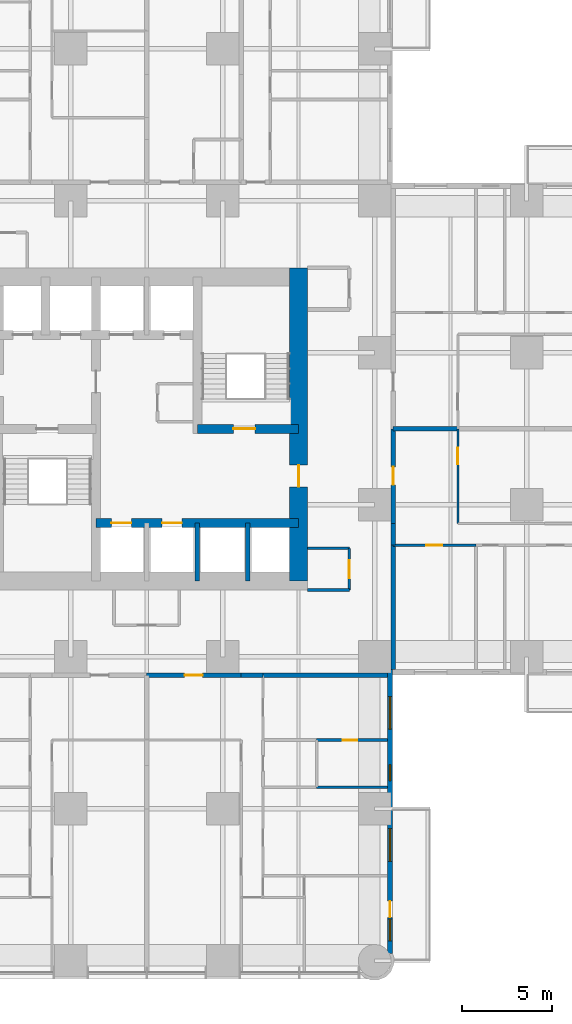
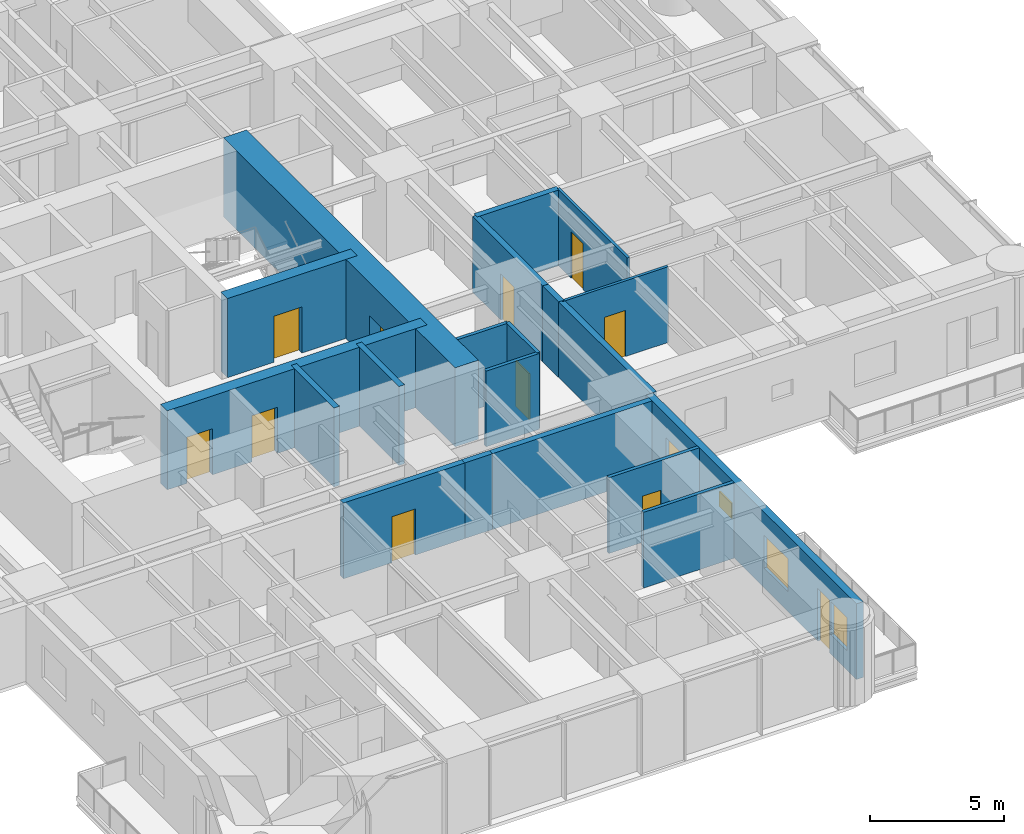
# One storey, part 10 of 17: 20 walls, 11 doors, 4 windows, 15 openings.
"""IFC4 building model written with IfcOpenShell, lengths in metres."""

from ifc_helpers import new_model, si_unit, direction, frame, frame_2d, origin, place, context, subcontext, project, spatial, rectangle, extrude, material, layer, layer_set, type_object, element, fill, save


model = new_model("IFC4")

# Units and contexts
model_context = context("Model", 3, precision=1e-05, world=origin(), true_north=direction((0.0, 1.0)))
body_context = subcontext(model_context, "Body", "Model", "MODEL_VIEW")
ifc_project = project(units=[si_unit("LENGTHUNIT", "METRE"), si_unit("AREAUNIT", "SQUARE_METRE"), si_unit("VOLUMEUNIT", "CUBIC_METRE"), si_unit("PLANEANGLEUNIT", "RADIAN"), si_unit("MASSUNIT", "GRAM", prefix="KILO")], contexts=[model_context])

# Site, building, storey
site_placement = place(None, origin())
site = spatial("IfcSite", under=ifc_project, at=site_placement, CompositionType="ELEMENT")
building_placement = place(site_placement, origin())
building = spatial("IfcBuilding", under=site, at=building_placement, Name="Torre Alcanfor", CompositionType="ELEMENT")
storey_placement = place(building_placement, frame((0.0, 0.0, 63.300048828125)))
storey = spatial("IfcBuildingStorey", under=building, at=storey_placement, Name="L15", CompositionType="ELEMENT", Elevation=63.300048828125)

# Wall, opening, door
ifc_material_1 = material(Name="Concrete block masonry, hollow blocks NMX-C-404 9 MPa", Category="masonry")
ifc_layer_1 = layer(ifc_material_1, 0.25)
ifc_layer_set_1 = layer_set([ifc_layer_1], Name="Apartment entrance wall 250 EI 60")
wall_type_1 = type_object("IfcWallType", Name="Apartment entrance wall 250 EI 60", PredefinedType="PARTITIONING", material=ifc_layer_set_1)
wall_1_placement = place(storey_placement, frame((43.02490234375, 29.39990234375, 0.0), z_axis=(0.0, 0.0, 1.0), x_axis=(0.0, -1.0, 0.0)))
wall_1 = element("IfcWall", 1, at=wall_1_placement, inside=storey, type_object=wall_type_1, Name="Partition L15-CORR / L15-E2-ZAG", PredefinedType="PARTITIONING", context=body_context, shape_type="SweptSolid", body=[
    extrude(rectangle(XDim=5.22900390625, YDim=0.25, at=frame_2d((2.614501953125, 0.0))), origin(), (0.0, 0.0, 1.0), 3.449951171875),
])
opening_1_placement = place(wall_1_placement, frame((2.10009765625, 0.0, 0.0)))
opening_1 = element("IfcOpeningElement", 2, at=opening_1_placement, cuts=wall_1, Name="Opening D-A1", PredefinedType="OPENING", context=body_context, shape_type="SweptSolid", body=[
    extrude(rectangle(XDim=1.0, YDim=2.10009765625, at=frame_2d((0.5, 1.050048828125))), frame((0.0, 0.135009765625, 0.0), z_axis=(0.0, -1.0, 0.0), x_axis=(1.0, 0.0, 0.0)), (0.0, 0.0, 1.0), 0.27001953125),
])
ifc_material_2 = material(Name="Galvanised steel sheet ASTM A653", Category="steel")
door_type_1 = type_object("IfcDoorType", Name="Apartment entrance door FD60 1000x2100", OperationType="SINGLE_SWING_LEFT", PredefinedType="DOOR", material=ifc_material_2)
door_1_placement = place(opening_1_placement, origin())
door_1 = element("IfcDoor", 3, at=door_1_placement, inside=storey, type_object=door_type_1, Name="Apartment entrance L15-E2", OperationType="SINGLE_SWING_LEFT", OverallHeight=2.10009765625, OverallWidth=1.0, PredefinedType="DOOR", context=body_context, shape_type="SweptSolid", body=[
    extrude(rectangle(XDim=1.0, YDim=2.10009765625, at=frame_2d((0.5, 1.050048828125))), frame((0.0, 0.02490234375, 0.0), z_axis=(0.0, -1.0, 0.0), x_axis=(1.0, 0.0, 0.0)), (0.0, 0.0, 1.0), 0.050048828125),
])
fill(opening_1, door_1)

# Walls
wall_2_placement = place(storey_placement, frame((43.02490234375, 24.1708984375, 0.0), z_axis=(0.0, 0.0, 1.0), x_axis=(0.0, -1.0, 0.0)))
element("IfcWall", 4, at=wall_2_placement, inside=storey, type_object=wall_type_1, Name="Partition L15-CORR / L15-E2-HALL", PredefinedType="PARTITIONING", context=body_context, shape_type="SweptSolid", body=[
    extrude(rectangle(XDim=1.199951171875, YDim=0.25, at=frame_2d((0.60009765625, 0.0))), origin(), (0.0, 0.0, 1.0), 3.449951171875),
])
wall_3_placement = place(storey_placement, frame((43.02490234375, 22.970947265625, 0.0), z_axis=(0.0, 0.0, 1.0), x_axis=(0.0, -1.0, 0.0)))
element("IfcWall", 5, at=wall_3_placement, inside=storey, type_object=wall_type_1, Name="Partition L15-CORR / L15-E2-BED3", PredefinedType="PARTITIONING", context=body_context, shape_type="SweptSolid", body=[
    extrude(rectangle(XDim=6.870849609375, YDim=0.25, at=frame_2d((3.435546875, 0.0))), origin(), (0.0, 0.0, 1.0), 3.449951171875),
])

# Wall, opening, door
wall_4_placement = place(storey_placement, frame((34.62890625, 15.77490234375, 0.0), z_axis=(0.0, 0.0, 1.0), x_axis=(-1.0, 0.0, 0.0)))
wall_4 = element("IfcWall", 6, at=wall_4_placement, inside=storey, type_object=wall_type_1, Name="Partition L15-CORR / L15-S1-ZAG", PredefinedType="PARTITIONING", context=body_context, shape_type="SweptSolid", body=[
    extrude(rectangle(XDim=5.22900390625, YDim=0.25, at=frame_2d((2.614501953125, 0.0))), origin(), (0.0, 0.0, 1.0), 3.449951171875),
])
opening_2_placement = place(wall_4_placement, frame((2.12890625, 0.0, 0.0)))
opening_2 = element("IfcOpeningElement", 7, at=opening_2_placement, cuts=wall_4, Name="Opening D-A1", PredefinedType="OPENING", context=body_context, shape_type="SweptSolid", body=[
    extrude(rectangle(XDim=1.0, YDim=2.10009765625, at=frame_2d((0.5, 1.050048828125))), frame((0.0, 0.135009765625, 0.0), z_axis=(0.0, -1.0, 0.0), x_axis=(1.0, 0.0, 0.0)), (0.0, 0.0, 1.0), 0.27001953125),
])
door_2_placement = place(opening_2_placement, origin())
door_2 = element("IfcDoor", 8, at=door_2_placement, inside=storey, type_object=door_type_1, Name="Apartment entrance L15-S1", OperationType="SINGLE_SWING_RIGHT", OverallHeight=2.10009765625, OverallWidth=1.0, PredefinedType="DOOR", context=body_context, shape_type="SweptSolid", body=[
    extrude(rectangle(XDim=1.0, YDim=2.10009765625, at=frame_2d((0.5, 1.050048828125))), frame((0.0, 0.02490234375, 0.0), z_axis=(0.0, -1.0, 0.0), x_axis=(1.0, 0.0, 0.0)), (0.0, 0.0, 1.0), 0.050048828125),
])
fill(opening_2, door_2)

# Walls
wall_5_placement = place(storey_placement, frame((35.8291015625, 15.77490234375, 0.0), z_axis=(0.0, 0.0, 1.0), x_axis=(-1.0, 0.0, 0.0)))
element("IfcWall", 9, at=wall_5_placement, inside=storey, type_object=wall_type_1, Name="Partition L15-CORR / L15-S1-HALL", PredefinedType="PARTITIONING", context=body_context, shape_type="SweptSolid", body=[
    extrude(rectangle(XDim=1.2001953125, YDim=0.25, at=frame_2d((0.60009765625, 0.0))), origin(), (0.0, 0.0, 1.0), 3.449951171875),
])
wall_6_placement = place(storey_placement, frame((42.699951171875, 15.77490234375, 0.0), z_axis=(0.0, 0.0, 1.0), x_axis=(-1.0, 0.0, 0.0)))
element("IfcWall", 10, at=wall_6_placement, inside=storey, type_object=wall_type_1, Name="Partition L15-CORR / L15-S1-SERV", PredefinedType="PARTITIONING", context=body_context, shape_type="SweptSolid", body=[
    extrude(rectangle(XDim=6.870849609375, YDim=0.25, at=frame_2d((3.435546875, 0.0))), origin(), (0.0, 0.0, 1.0), 3.449951171875),
])

# Wall, opening, door
ifc_material_3 = material(Name="Gypsum board on steel studs", Category="steel")
ifc_layer_2 = layer(ifc_material_3, 0.1201171875)
ifc_layer_set_2 = layer_set([ifc_layer_2], Name="Apartment partition 120")
wall_type_2 = type_object("IfcWallType", Name="Apartment partition 120", PredefinedType="PARTITIONING", material=ifc_layer_set_2)
wall_7_placement = place(storey_placement, frame((46.60009765625, 29.39990234375, 0.0), z_axis=(0.0, 0.0, 1.0), x_axis=(0.0, -1.0, 0.0)))
wall_7 = element("IfcWall", 11, at=wall_7_placement, inside=storey, type_object=wall_type_2, Name="Partition L15-E2-ZAG / L15-E2-KITCHEN", PredefinedType="PARTITIONING", context=body_context, shape_type="SweptSolid", body=[
    extrude(rectangle(XDim=5.22900390625, YDim=0.1201171875, at=frame_2d((2.614501953125, 0.0))), origin(), (0.0, 0.0, 1.0), 3.449951171875),
])
opening_3_placement = place(wall_7_placement, frame((1.050048828125, 0.0, 0.0)))
opening_3 = element("IfcOpeningElement", 12, at=opening_3_placement, cuts=wall_7, Name="Opening D-R1", PredefinedType="OPENING", context=body_context, shape_type="SweptSolid", body=[
    extrude(rectangle(XDim=0.89990234375, YDim=2.10009765625, at=frame_2d((0.449951171875, 1.050048828125))), frame((0.0, 0.070068359375, 0.0), z_axis=(0.0, -1.0, 0.0), x_axis=(1.0, 0.0, 0.0)), (0.0, 0.0, 1.0), 0.14013671875),
])
ifc_material_4 = material(Name="Timber", Category="wood")
door_type_2 = type_object("IfcDoorType", Name="Internal door 900x2100", OperationType="SINGLE_SWING_LEFT", PredefinedType="DOOR", material=ifc_material_4)
door_3_placement = place(opening_3_placement, origin())
door_3 = element("IfcDoor", 13, at=door_3_placement, inside=storey, type_object=door_type_2, Name="Door L15-E2 kitchen", OperationType="SINGLE_SWING_LEFT", OverallHeight=2.10009765625, OverallWidth=0.89990234375, PredefinedType="DOOR", context=body_context, shape_type="SweptSolid", body=[
    extrude(rectangle(XDim=0.89990234375, YDim=2.10009765625, at=frame_2d((0.449951171875, 1.050048828125))), frame((0.0, 0.02490234375, 0.0), z_axis=(0.0, -1.0, 0.0), x_axis=(1.0, 0.0, 0.0)), (0.0, 0.0, 1.0), 0.050048828125),
])
fill(opening_3, door_3)

wall_8_placement = place(storey_placement, frame((47.60009765625, 22.970947265625, 0.0), z_axis=(0.0, 0.0, 1.0), x_axis=(-1.0, 0.0, 0.0)))
wall_8 = element("IfcWall", 14, at=wall_8_placement, inside=storey, type_object=wall_type_2, Name="Partition L15-E2-HALL / L15-E2-BED3", PredefinedType="PARTITIONING", context=body_context, shape_type="SweptSolid", body=[
    extrude(rectangle(XDim=4.5751953125, YDim=0.1201171875, at=frame_2d((2.28759765625, 0.0))), origin(), (0.0, 0.0, 1.0), 3.449951171875),
])
opening_4_placement = place(wall_8_placement, frame((1.85009765625, 0.0, 0.0)))
opening_4 = element("IfcOpeningElement", 15, at=opening_4_placement, cuts=wall_8, Name="Opening D-R1", PredefinedType="OPENING", context=body_context, shape_type="SweptSolid", body=[
    extrude(rectangle(XDim=0.89990234375, YDim=2.10009765625, at=frame_2d((0.449951171875, 1.050048828125))), frame((0.0, 0.070068359375, 0.0), z_axis=(0.0, -1.0, 0.0), x_axis=(1.0, 0.0, 0.0)), (0.0, 0.0, 1.0), 0.14013671875),
])
door_4_placement = place(opening_4_placement, origin())
door_4 = element("IfcDoor", 16, at=door_4_placement, inside=storey, type_object=door_type_2, Name="Door L15-E2 bed3", OperationType="SINGLE_SWING_RIGHT", OverallHeight=2.10009765625, OverallWidth=0.89990234375, PredefinedType="DOOR", context=body_context, shape_type="SweptSolid", body=[
    extrude(rectangle(XDim=0.89990234375, YDim=2.10009765625, at=frame_2d((0.449951171875, 1.050048828125))), frame((0.0, 0.02490234375, 0.0), z_axis=(0.0, -1.0, 0.0), x_axis=(1.0, 0.0, 0.0)), (0.0, 0.0, 1.0), 0.050048828125),
])
fill(opening_4, door_4)

# Wall, openings, doors
ifc_material_5 = material(Name="Concrete f'c 70 MPa", Category="concrete")
ifc_layer_3 = layer(ifc_material_5, 0.5)
ifc_layer_set_3 = layer_set([ifc_layer_3], Name="Core inner wall 500 f'c70")
wall_type_3 = type_object("IfcWallType", Name="Core inner wall 500 f'c70", PredefinedType="SHEAR", material=ifc_layer_set_3)
wall_9_placement = place(storey_placement, frame((26.60009765625, 24.199951171875, 0.0), z_axis=(0.0, 0.0, 1.0), x_axis=(1.0, 0.0, 0.0)))
wall_9 = element("IfcWall", 17, at=wall_9_placement, inside=storey, type_object=wall_type_3, Name="Core wall Y242 L15", PredefinedType="SHEAR", context=body_context, shape_type="SweptSolid", body=[
    extrude(rectangle(XDim=11.199951171875, YDim=0.5, at=frame_2d((5.60009765625, 0.0))), origin(), (0.0, 0.0, 1.0), 3.599853515625),
])
opening_5_placement = place(wall_9_placement, frame((0.85009765625, 0.0, 0.0)))
opening_5 = element("IfcOpeningElement", 18, at=opening_5_placement, cuts=wall_9, Name="Opening LD1", PredefinedType="OPENING", context=body_context, shape_type="SweptSolid", body=[
    extrude(rectangle(XDim=1.10009765625, YDim=2.10009765625, at=frame_2d((0.550048828125, 1.050048828125))), frame((0.0, 0.260009765625, 0.0), z_axis=(0.0, -1.0, 0.0), x_axis=(1.0, 0.0, 0.0)), (0.0, 0.0, 1.0), 0.52001953125),
])
opening_6_placement = place(wall_9_placement, frame((3.64990234375, 0.0, 0.0)))
opening_6 = element("IfcOpeningElement", 19, at=opening_6_placement, cuts=wall_9, Name="Opening LD1", PredefinedType="OPENING", context=body_context, shape_type="SweptSolid", body=[
    extrude(rectangle(XDim=1.10009765625, YDim=2.10009765625, at=frame_2d((0.550048828125, 1.050048828125))), frame((0.0, 0.260009765625, 0.0), z_axis=(0.0, -1.0, 0.0), x_axis=(1.0, 0.0, 0.0)), (0.0, 0.0, 1.0), 0.52001953125),
])
ifc_material_6 = material(Name="Galvanised steel sheet ASTM A653", Category="steel")
door_type_3 = type_object("IfcDoorType", Name="Lift landing door 1100x2100", OperationType="DOUBLE_DOOR_SLIDING", PredefinedType="DOOR", material=ifc_material_6)
door_5_placement = place(opening_5_placement, origin())
door_5 = element("IfcDoor", 20, at=door_5_placement, inside=storey, type_object=door_type_3, Name="Lift landing door PA1 L15", OperationType="DOUBLE_DOOR_SLIDING", OverallHeight=2.10009765625, OverallWidth=1.10009765625, PredefinedType="DOOR", context=body_context, shape_type="SweptSolid", body=[
    extrude(rectangle(XDim=1.10009765625, YDim=2.10009765625, at=frame_2d((0.550048828125, 1.050048828125))), frame((0.0, 0.02490234375, 0.0), z_axis=(0.0, -1.0, 0.0), x_axis=(1.0, 0.0, 0.0)), (0.0, 0.0, 1.0), 0.050048828125),
])
fill(opening_5, door_5)
door_6_placement = place(opening_6_placement, origin())
door_6 = element("IfcDoor", 21, at=door_6_placement, inside=storey, type_object=door_type_3, Name="Lift landing door PA2 L15", OperationType="DOUBLE_DOOR_SLIDING", OverallHeight=2.10009765625, OverallWidth=1.10009765625, PredefinedType="DOOR", context=body_context, shape_type="SweptSolid", body=[
    extrude(rectangle(XDim=1.10009765625, YDim=2.10009765625, at=frame_2d((0.550048828125, 1.050048828125))), frame((0.0, 0.02490234375, 0.0), z_axis=(0.0, -1.0, 0.0), x_axis=(1.0, 0.0, 0.0)), (0.0, 0.0, 1.0), 0.050048828125),
])
fill(opening_6, door_6)

# Wall, opening, door
wall_10_placement = place(storey_placement, frame((32.199951171875, 29.39990234375, 0.0), z_axis=(0.0, 0.0, 1.0), x_axis=(1.0, 0.0, 0.0)))
wall_10 = element("IfcWall", 22, at=wall_10_placement, inside=storey, type_object=wall_type_3, Name="Core wall Y294E L15", PredefinedType="SHEAR", context=body_context, shape_type="SweptSolid", body=[
    extrude(rectangle(XDim=5.60009765625, YDim=0.5, at=frame_2d((2.800048828125, 0.0))), origin(), (0.0, 0.0, 1.0), 3.599853515625),
])
opening_7_placement = place(wall_10_placement, frame((2.0, 0.0, 0.0)))
opening_7 = element("IfcOpeningElement", 23, at=opening_7_placement, cuts=wall_10, Name="Opening D-S2", PredefinedType="OPENING", context=body_context, shape_type="SweptSolid", body=[
    extrude(rectangle(XDim=1.199951171875, YDim=2.10009765625, at=frame_2d((0.60009765625, 1.050048828125))), frame((0.0, 0.260009765625, 0.0), z_axis=(0.0, -1.0, 0.0), x_axis=(1.0, 0.0, 0.0)), (0.0, 0.0, 1.0), 0.52001953125),
])
ifc_material_7 = material(Name="Galvanised steel sheet ASTM A653", Category="steel")
door_type_4 = type_object("IfcDoorType", Name="Stair enclosure door FD120 1200x2100", OperationType="SINGLE_SWING_LEFT", PredefinedType="DOOR", material=ifc_material_7)
door_7_placement = place(opening_7_placement, origin())
door_7 = element("IfcDoor", 24, at=door_7_placement, inside=storey, type_object=door_type_4, Name="Stair S2 door L15", OperationType="SINGLE_SWING_LEFT", OverallHeight=2.10009765625, OverallWidth=1.199951171875, PredefinedType="DOOR", context=body_context, shape_type="SweptSolid", body=[
    extrude(rectangle(XDim=1.199951171875, YDim=2.10009765625, at=frame_2d((0.60009765625, 1.050048828125))), frame((0.0, 0.02490234375, 0.0), z_axis=(0.0, -1.0, 0.0), x_axis=(1.0, 0.0, 0.0)), (0.0, 0.0, 1.0), 0.050048828125),
])
fill(opening_7, door_7)

# Walls
ifc_material_8 = material(Name="Concrete f'c 70 MPa", Category="concrete")
ifc_layer_4 = layer(ifc_material_8, 0.25)
ifc_layer_set_4 = layer_set([ifc_layer_4], Name="Core shaft wall 250 f'c70")
wall_type_4 = type_object("IfcWallType", Name="Core shaft wall 250 f'c70", PredefinedType="SHEAR", material=ifc_layer_set_4)
for number, where, z_axis, x_axis, name in (
    (25, (32.199951171875, 21.0, 0.0), (0.0, 0.0, 1.0), (0.0, 1.0, 0.0), "Core wall X322S L15"),
    (26, (35.0, 21.0, 0.0), (0.0, 0.0, 1.0), (0.0, 1.0, 0.0), "Core wall X350S L15"),
):
    element("IfcWall", number, at=place(storey_placement, frame(where, z_axis=z_axis, x_axis=x_axis)), inside=storey, type_object=wall_type_4, Name=name, PredefinedType="SHEAR", context=body_context, shape_type="SweptSolid", body=[
        extrude(rectangle(XDim=3.199951171875, YDim=0.25, at=frame_2d((1.60009765625, 0.0))), origin(), (0.0, 0.0, 1.0), 3.599853515625),
    ])

# Wall, opening, door
ifc_material_9 = material(Name="Concrete f'c 70 MPa", Category="concrete")
ifc_layer_5 = layer(ifc_material_9, 1.0)
ifc_layer_set_5 = layer_set([ifc_layer_5], Name="Core wall 1000 f'c70")
wall_type_5 = type_object("IfcWallType", Name="Core wall 1000 f'c70", PredefinedType="SHEAR", material=ifc_layer_set_5)
wall_11_placement = place(storey_placement, frame((37.800048828125, 21.0, 0.0), z_axis=(0.0, 0.0, 1.0), x_axis=(0.0, 1.0, 0.0)))
wall_11 = element("IfcWall", 27, at=wall_11_placement, inside=storey, type_object=wall_type_5, Name="Core wall OUT-E L15", PredefinedType="SHEAR", context=body_context, shape_type="SweptSolid", body=[
    extrude(rectangle(XDim=17.300048828125, YDim=1.0, at=frame_2d((8.64990234375, 0.0))), origin(), (0.0, 0.0, 1.0), 3.599853515625),
])
opening_8_placement = place(wall_11_placement, frame((5.199951171875, 0.0, 0.0)))
opening_8 = element("IfcOpeningElement", 28, at=opening_8_placement, cuts=wall_11, Name="Opening D-L1", PredefinedType="OPENING", context=body_context, shape_type="SweptSolid", body=[
    extrude(rectangle(XDim=1.199951171875, YDim=2.10009765625, at=frame_2d((0.60009765625, 1.050048828125))), frame((0.0, 0.510009765625, 0.0), z_axis=(0.0, -1.0, 0.0), x_axis=(1.0, 0.0, 0.0)), (0.0, 0.0, 1.0), 1.02001953125),
])
ifc_material_10 = material(Name="Galvanised steel sheet ASTM A653", Category="steel")
door_type_5 = type_object("IfcDoorType", Name="Lobby door FD120 1200x2100", OperationType="SINGLE_SWING_LEFT", PredefinedType="DOOR", material=ifc_material_10)
door_8_placement = place(opening_8_placement, origin())
door_8 = element("IfcDoor", 29, at=door_8_placement, inside=storey, type_object=door_type_5, Name="Lift lobby entrance door L15", OperationType="SINGLE_SWING_LEFT", OverallHeight=2.10009765625, OverallWidth=1.199951171875, PredefinedType="DOOR", context=body_context, shape_type="SweptSolid", body=[
    extrude(rectangle(XDim=1.199951171875, YDim=2.10009765625, at=frame_2d((0.60009765625, 1.050048828125))), frame((0.0, 0.02490234375, 0.0), z_axis=(0.0, -1.0, 0.0), x_axis=(1.0, 0.0, 0.0)), (0.0, 0.0, 1.0), 0.050048828125),
])
fill(opening_8, door_8)

# Wall, openings, door, windows
ifc_material_11 = material(Name="Limestone cladding", Category="masonry")
ifc_layer_6 = layer(ifc_material_11, 0.0400390625, Name="Facing")
ifc_material_12 = material(Name="Ventilated air cavity")
ifc_layer_7 = layer(ifc_material_12, 0.02001953125, ventilated=True, Name="Ventilated joint")
ifc_material_13 = material(Name="Mineral wool insulation", Category="insulation")
ifc_layer_8 = layer(ifc_material_13, 0.10009765625, Name="Insulation")
ifc_material_14 = material(Name="Concrete f'c 35 MPa", Category="concrete")
ifc_layer_9 = layer(ifc_material_14, 0.139892578125, Name="Backing")
ifc_layer_set_6 = layer_set([ifc_layer_6, ifc_layer_7, ifc_layer_8, ifc_layer_9], Name="External wall stone-clad 300")
wall_type_6 = type_object("IfcWallType", Name="External wall stone-clad 300", PredefinedType="SOLIDWALL", material=ifc_layer_set_6)
wall_12_placement = place(storey_placement, frame((42.85009765625, 0.39990234375, 0.0), z_axis=(0.0, 0.0, 1.0), x_axis=(0.0, 1.0, 0.0)))
wall_12 = element("IfcWall", 30, at=wall_12_placement, inside=storey, type_object=wall_type_6, Name="External wall L15 6", PredefinedType="SOLIDWALL", context=body_context, shape_type="SweptSolid", body=[
    extrude(rectangle(XDim=15.7001953125, YDim=0.300048828125, at=frame_2d((7.85009765625, 0.0))), origin(), (0.0, 0.0, 1.0), 3.449951171875),
])
opening_9_placement = place(wall_12_placement, frame((12.39990234375, 0.0, 0.89990234375)))
opening_9 = element("IfcOpeningElement", 31, at=opening_9_placement, cuts=wall_12, Name="Opening W2", PredefinedType="OPENING", context=body_context, shape_type="SweptSolid", body=[
    extrude(rectangle(XDim=1.800048828125, YDim=1.5, at=frame_2d((0.89990234375, 0.75))), frame((0.0, 0.159912109375, 0.0), z_axis=(0.0, -1.0, 0.0), x_axis=(1.0, 0.0, 0.0)), (0.0, 0.0, 1.0), 0.320068359375),
])
opening_10_placement = place(wall_12_placement, frame((9.550048828125, 0.0, 1.5)))
opening_10 = element("IfcOpeningElement", 32, at=opening_10_placement, cuts=wall_12, Name="Opening W3", PredefinedType="OPENING", context=body_context, shape_type="SweptSolid", body=[
    extrude(rectangle(XDim=0.89990234375, YDim=0.699951171875, at=frame_2d((0.449951171875, 0.35009765625))), frame((0.0, 0.159912109375, 0.0), z_axis=(0.0, -1.0, 0.0), x_axis=(1.0, 0.0, 0.0)), (0.0, 0.0, 1.0), 0.320068359375),
])
opening_11_placement = place(wall_12_placement, frame((5.10009765625, 0.0, 0.89990234375)))
opening_11 = element("IfcOpeningElement", 33, at=opening_11_placement, cuts=wall_12, Name="Opening W2", PredefinedType="OPENING", context=body_context, shape_type="SweptSolid", body=[
    extrude(rectangle(XDim=1.800048828125, YDim=1.5, at=frame_2d((0.89990234375, 0.75))), frame((0.0, 0.159912109375, 0.0), z_axis=(0.0, -1.0, 0.0), x_axis=(1.0, 0.0, 0.0)), (0.0, 0.0, 1.0), 0.320068359375),
])
opening_12_placement = place(wall_12_placement, frame((2.0, 0.0, 0.0)))
opening_12 = element("IfcOpeningElement", 34, at=opening_12_placement, cuts=wall_12, Name="Opening D-B1", PredefinedType="OPENING", context=body_context, shape_type="SweptSolid", body=[
    extrude(rectangle(XDim=0.89990234375, YDim=2.39990234375, at=frame_2d((0.449951171875, 1.199951171875))), frame((0.0, 0.159912109375, 0.0), z_axis=(0.0, -1.0, 0.0), x_axis=(1.0, 0.0, 0.0)), (0.0, 0.0, 1.0), 0.320068359375),
])
opening_13_placement = place(wall_12_placement, frame((0.699951171875, 0.0, 0.89990234375)))
opening_13 = element("IfcOpeningElement", 35, at=opening_13_placement, cuts=wall_12, Name="Opening W4", PredefinedType="OPENING", context=body_context, shape_type="SweptSolid", body=[
    extrude(rectangle(XDim=1.199951171875, YDim=1.5, at=frame_2d((0.60009765625, 0.75))), frame((0.0, 0.159912109375, 0.0), z_axis=(0.0, -1.0, 0.0), x_axis=(1.0, 0.0, 0.0)), (0.0, 0.0, 1.0), 0.320068359375),
])
ifc_material_15 = material(Name="Aluminium and glass", Category="aluminium")
door_type_6 = type_object("IfcDoorType", Name="Balcony door glazed 900x2400", OperationType="SINGLE_SWING_LEFT", PredefinedType="DOOR", material=ifc_material_15)
door_9_placement = place(opening_12_placement, origin())
door_9 = element("IfcDoor", 36, at=door_9_placement, inside=storey, type_object=door_type_6, Name="Balcony door L15-S1", OperationType="SINGLE_SWING_RIGHT", OverallHeight=2.39990234375, OverallWidth=0.89990234375, PredefinedType="DOOR", context=body_context, shape_type="SweptSolid", body=[
    extrude(rectangle(XDim=0.89990234375, YDim=2.39990234375, at=frame_2d((0.449951171875, 1.199951171875))), frame((0.0, 0.02490234375, 0.0), z_axis=(0.0, -1.0, 0.0), x_axis=(1.0, 0.0, 0.0)), (0.0, 0.0, 1.0), 0.050048828125),
])
fill(opening_12, door_9)
ifc_material_16 = material(Name="Aluminium frame with clear double glazing", Category="aluminium")
window_type_1 = type_object("IfcWindowType", Name="Window bathroom 900x700", PartitioningType="SINGLE_PANEL", PredefinedType="WINDOW", material=ifc_material_16)
window_1_placement = place(opening_10_placement, origin())
window_1 = element("IfcWindow", 37, at=window_1_placement, inside=storey, type_object=window_type_1, Name="Window W3 L15-S1", OverallHeight=0.699951171875, OverallWidth=0.89990234375, PartitioningType="SINGLE_PANEL", PredefinedType="WINDOW", context=body_context, shape_type="SweptSolid", body=[
    extrude(rectangle(XDim=0.89990234375, YDim=0.699951171875, at=frame_2d((0.449951171875, 0.35009765625))), frame((0.0, 0.030029296875, 0.0), z_axis=(0.0, -1.0, 0.0), x_axis=(1.0, 0.0, 0.0)), (0.0, 0.0, 1.0), 0.06005859375),
])
fill(opening_10, window_1)
ifc_material_17 = material(Name="Aluminium frame with clear double glazing", Category="aluminium")
window_type_2 = type_object("IfcWindowType", Name="Window bedroom 1200x1500", PartitioningType="SINGLE_PANEL", PredefinedType="WINDOW", material=ifc_material_17)
window_2_placement = place(opening_13_placement, origin())
window_2 = element("IfcWindow", 38, at=window_2_placement, inside=storey, type_object=window_type_2, Name="Window W4 L15-S1", OverallHeight=1.5, OverallWidth=1.199951171875, PartitioningType="SINGLE_PANEL", PredefinedType="WINDOW", context=body_context, shape_type="SweptSolid", body=[
    extrude(rectangle(XDim=1.199951171875, YDim=1.5, at=frame_2d((0.60009765625, 0.75))), frame((0.0, 0.030029296875, 0.0), z_axis=(0.0, -1.0, 0.0), x_axis=(1.0, 0.0, 0.0)), (0.0, 0.0, 1.0), 0.06005859375),
])
fill(opening_13, window_2)
ifc_material_18 = material(Name="Aluminium frame with clear double glazing", Category="aluminium")
window_type_3 = type_object("IfcWindowType", Name="Window bedroom 1800x1500", PartitioningType="SINGLE_PANEL", PredefinedType="WINDOW", material=ifc_material_18)
window_3_placement = place(opening_9_placement, origin())
window_3 = element("IfcWindow", 39, at=window_3_placement, inside=storey, type_object=window_type_3, Name="Window W2 L15-S1", OverallHeight=1.5, OverallWidth=1.800048828125, PartitioningType="SINGLE_PANEL", PredefinedType="WINDOW", context=body_context, shape_type="SweptSolid", body=[
    extrude(rectangle(XDim=1.800048828125, YDim=1.5, at=frame_2d((0.89990234375, 0.75))), frame((0.0, 0.030029296875, 0.0), z_axis=(0.0, -1.0, 0.0), x_axis=(1.0, 0.0, 0.0)), (0.0, 0.0, 1.0), 0.06005859375),
])
fill(opening_9, window_3)
window_4_placement = place(opening_11_placement, origin())
window_4 = element("IfcWindow", 40, at=window_4_placement, inside=storey, type_object=window_type_3, Name="Window W2 L15-S1", OverallHeight=1.5, OverallWidth=1.800048828125, PartitioningType="SINGLE_PANEL", PredefinedType="WINDOW", context=body_context, shape_type="SweptSolid", body=[
    extrude(rectangle(XDim=1.800048828125, YDim=1.5, at=frame_2d((0.89990234375, 0.75))), frame((0.0, 0.030029296875, 0.0), z_axis=(0.0, -1.0, 0.0), x_axis=(1.0, 0.0, 0.0)), (0.0, 0.0, 1.0), 0.06005859375),
])
fill(opening_11, window_4)

# Walls
ifc_material_19 = material(Name="Concrete block masonry, hollow blocks NMX-C-404 9 MPa", Category="masonry")
ifc_layer_10 = layer(ifc_material_19, 0.25)
ifc_layer_set_7 = layer_set([ifc_layer_10], Name="Party wall 250 EI 60")
wall_type_7 = type_object("IfcWallType", Name="Party wall 250 EI 60", PredefinedType="PARTITIONING", material=ifc_layer_set_7)
wall_13_placement = place(storey_placement, frame((43.02490234375, 29.39990234375, 0.0), z_axis=(0.0, 0.0, 1.0), x_axis=(1.0, 0.0, 0.0)))
element("IfcWall", 41, at=wall_13_placement, inside=storey, type_object=wall_type_7, Name="Partition L15-E1-ZAG / L15-E2-ZAG", PredefinedType="PARTITIONING", context=body_context, shape_type="SweptSolid", body=[
    extrude(rectangle(XDim=3.5751953125, YDim=0.25, at=frame_2d((1.78759765625, 0.0))), origin(), (0.0, 0.0, 1.0), 3.449951171875),
])
ifc_material_20 = material(Name="Concrete block masonry, hollow blocks NMX-C-404 9 MPa", Category="masonry")
ifc_layer_11 = layer(ifc_material_20, 0.14990234375)
ifc_layer_set_8 = layer_set([ifc_layer_11], Name="Residents' room partition 150")
wall_type_8 = type_object("IfcWallType", Name="Residents' room partition 150", PredefinedType="PARTITIONING", material=ifc_layer_set_8)
wall_14_placement = place(storey_placement, frame((38.300048828125, 20.5, 0.0), z_axis=(0.0, 0.0, 1.0), x_axis=(1.0, 0.0, 0.0)))
element("IfcWall", 42, at=wall_14_placement, inside=storey, type_object=wall_type_8, Name="Partition L15-CORR / L15-G02", PredefinedType="PARTITIONING", context=body_context, shape_type="SweptSolid", body=[
    extrude(rectangle(XDim=2.300048828125, YDim=0.14990234375, at=frame_2d((1.14990234375, 0.0))), origin(), (0.0, 0.0, 1.0), 3.449951171875),
])

# Wall, opening, door
wall_15_placement = place(storey_placement, frame((40.60009765625, 20.5, 0.0), z_axis=(0.0, 0.0, 1.0), x_axis=(0.0, 1.0, 0.0)))
wall_15 = element("IfcWall", 43, at=wall_15_placement, inside=storey, type_object=wall_type_8, Name="Partition L15-CORR / L15-G02", PredefinedType="PARTITIONING", context=body_context, shape_type="SweptSolid", body=[
    extrude(rectangle(XDim=2.300048828125, YDim=0.14990234375, at=frame_2d((1.14990234375, 0.0))), origin(), (0.0, 0.0, 1.0), 3.449951171875),
])
opening_14_placement = place(wall_15_placement, frame((0.64990234375, 0.0, 0.0)))
opening_14 = element("IfcOpeningElement", 44, at=opening_14_placement, cuts=wall_15, Name="Opening D-M1", PredefinedType="OPENING", context=body_context, shape_type="SweptSolid", body=[
    extrude(rectangle(XDim=1.0, YDim=2.10009765625, at=frame_2d((0.5, 1.050048828125))), frame((0.0, 0.0849609375, 0.0), z_axis=(0.0, -1.0, 0.0), x_axis=(1.0, 0.0, 0.0)), (0.0, 0.0, 1.0), 0.169921875),
])
ifc_material_21 = material(Name="Timber", Category="wood")
door_type_7 = type_object("IfcDoorType", Name="Residents' room door 1000x2100", OperationType="SINGLE_SWING_LEFT", PredefinedType="DOOR", material=ifc_material_21)
door_10_placement = place(opening_14_placement, origin())
door_10 = element("IfcDoor", 45, at=door_10_placement, inside=storey, type_object=door_type_7, Name="Door L15-G02 bicycle store", OperationType="SINGLE_SWING_LEFT", OverallHeight=2.10009765625, OverallWidth=1.0, PredefinedType="DOOR", context=body_context, shape_type="SweptSolid", body=[
    extrude(rectangle(XDim=1.0, YDim=2.10009765625, at=frame_2d((0.5, 1.050048828125))), frame((0.0, 0.02490234375, 0.0), z_axis=(0.0, -1.0, 0.0), x_axis=(1.0, 0.0, 0.0)), (0.0, 0.0, 1.0), 0.050048828125),
])
fill(opening_14, door_10)

# Wall
wall_16_placement = place(storey_placement, frame((40.60009765625, 22.800048828125, 0.0), z_axis=(0.0, 0.0, 1.0), x_axis=(-1.0, 0.0, 0.0)))
element("IfcWall", 46, at=wall_16_placement, inside=storey, type_object=wall_type_8, Name="Partition L15-CORR / L15-G02", PredefinedType="PARTITIONING", context=body_context, shape_type="SweptSolid", body=[
    extrude(rectangle(XDim=2.300048828125, YDim=0.14990234375, at=frame_2d((1.14990234375, 0.0))), origin(), (0.0, 0.0, 1.0), 3.449951171875),
])

# Wall, opening, door
ifc_material_22 = material(Name="Cement board on steel studs", Category="steel")
ifc_layer_12 = layer(ifc_material_22, 0.14990234375)
ifc_layer_set_9 = layer_set([ifc_layer_12], Name="Wet area partition 150")
wall_type_9 = type_object("IfcWallType", Name="Wet area partition 150", PredefinedType="PARTITIONING", material=ifc_layer_set_9)
wall_17_placement = place(storey_placement, frame((38.800048828125, 12.199951171875, 0.0), z_axis=(0.0, 0.0, 1.0), x_axis=(1.0, 0.0, 0.0)))
wall_17 = element("IfcWall", 47, at=wall_17_placement, inside=storey, type_object=wall_type_9, Name="Partition L15-S1-SERV / L15-S1-SBATH", PredefinedType="PARTITIONING", context=body_context, shape_type="SweptSolid", body=[
    extrude(rectangle(XDim=3.89990234375, YDim=0.14990234375, at=frame_2d((1.949951171875, 0.0))), origin(), (0.0, 0.0, 1.0), 3.449951171875),
])
opening_15_placement = place(wall_17_placement, frame((1.449951171875, 0.0, 0.0)))
opening_15 = element("IfcOpeningElement", 48, at=opening_15_placement, cuts=wall_17, Name="Opening D-R2", PredefinedType="OPENING", context=body_context, shape_type="SweptSolid", body=[
    extrude(rectangle(XDim=0.800048828125, YDim=2.10009765625, at=frame_2d((0.39990234375, 1.050048828125))), frame((0.0, 0.0849609375, 0.0), z_axis=(0.0, -1.0, 0.0), x_axis=(1.0, 0.0, 0.0)), (0.0, 0.0, 1.0), 0.169921875),
])
ifc_material_23 = material(Name="Timber", Category="wood")
door_type_8 = type_object("IfcDoorType", Name="Bathroom door 800x2100", OperationType="SINGLE_SWING_LEFT", PredefinedType="DOOR", material=ifc_material_23)
door_11_placement = place(opening_15_placement, frame((0.800048828125, 0.0, 0.0), z_axis=(0.0, 0.0, 1.0), x_axis=(-1.0, 0.0, 0.0)))
door_11 = element("IfcDoor", 49, at=door_11_placement, inside=storey, type_object=door_type_8, Name="Door L15-S1 sbath", OperationType="SINGLE_SWING_RIGHT", OverallHeight=2.10009765625, OverallWidth=0.800048828125, PredefinedType="DOOR", context=body_context, shape_type="SweptSolid", body=[
    extrude(rectangle(XDim=0.800048828125, YDim=2.10009765625, at=frame_2d((0.400146484375, 1.050048828125))), frame((0.0, 0.025146484375, 0.0), z_axis=(0.0, -1.0, 0.0), x_axis=(1.0, 0.0, 0.0)), (0.0, 0.0, 1.0), 0.050048828125),
])
fill(opening_15, door_11)

# Wall
wall_18_placement = place(storey_placement, frame((38.800048828125, 9.60009765625, 0.0), z_axis=(0.0, 0.0, 1.0), x_axis=(1.0, 0.0, 0.0)))
element("IfcWall", 50, at=wall_18_placement, inside=storey, type_object=wall_type_9, Name="Partition L15-S1-SBATH / L15-S1-BED3", PredefinedType="PARTITIONING", context=body_context, shape_type="SweptSolid", body=[
    extrude(rectangle(XDim=3.89990234375, YDim=0.14990234375, at=frame_2d((1.949951171875, 0.0))), origin(), (0.0, 0.0, 1.0), 3.449951171875),
])

save(model, "model.ifc")
